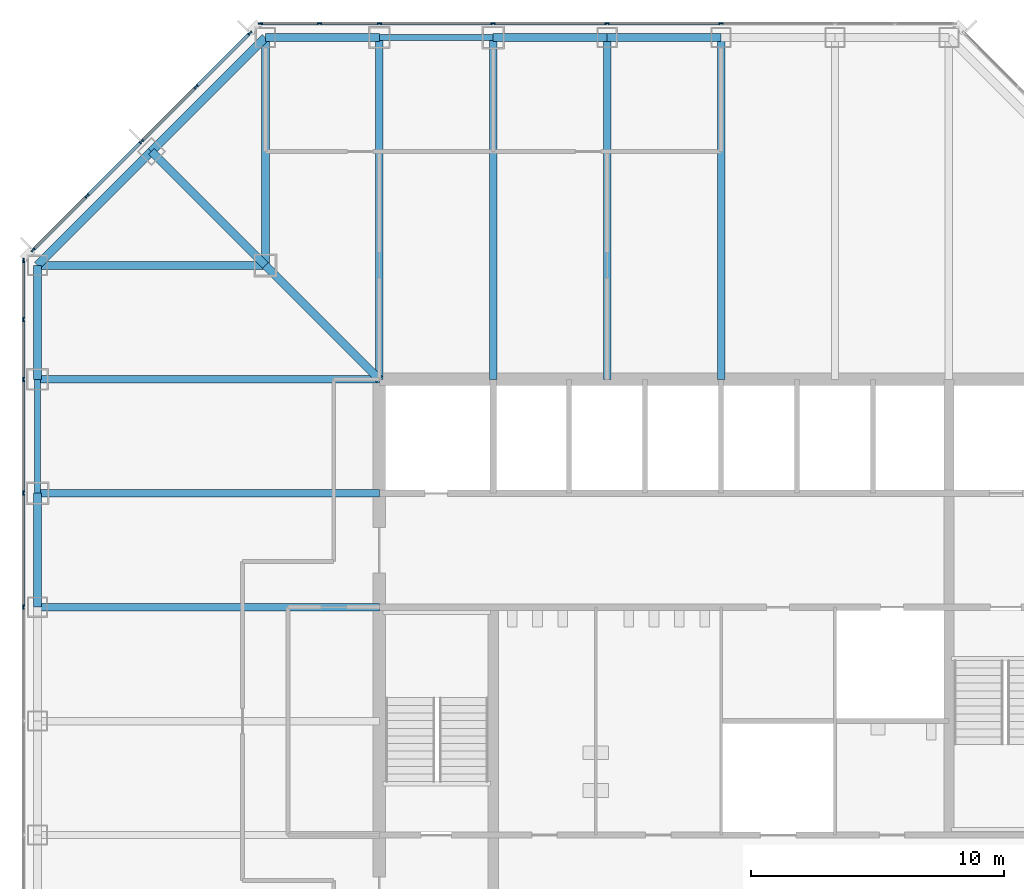
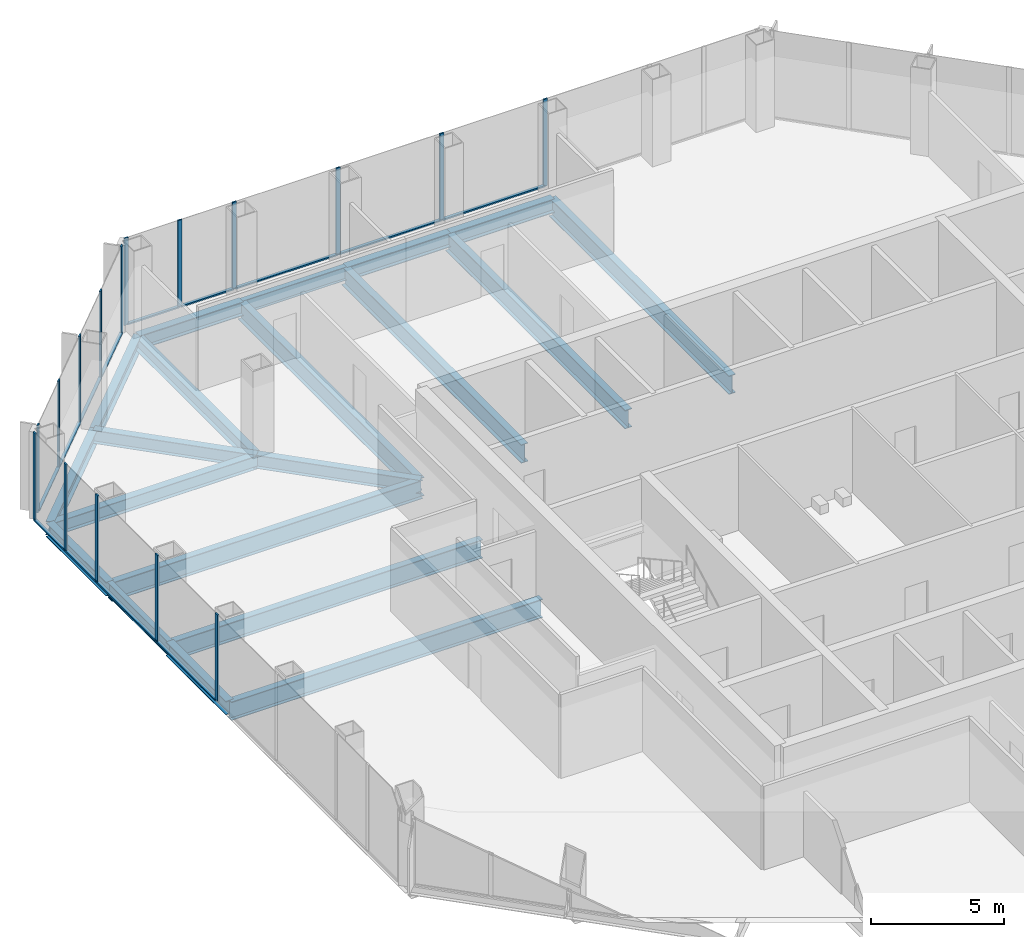
# One storey, part 5 of 12: 29 members, 20 beams, 3 elements without a shape of their own.
"""IFC4 building model written with IfcOpenShell, lengths in metres."""

from ifc_helpers import new_model, si_unit, direction, frame, origin, origin_2d, place, context, subcontext, project, spatial, rectangle, i_section, extrude, material, material_profile, profile_set, type_object, element, aggregate, save


model = new_model("IFC4")

# Units and contexts
model_context = context("Model", 3, precision=1e-05, world=origin(), true_north=direction((0.0, 1.0)))
body_context = subcontext(model_context, "Body", "Model", "MODEL_VIEW")
ifc_project = project(units=[si_unit("LENGTHUNIT", "METRE"), si_unit("AREAUNIT", "SQUARE_METRE"), si_unit("VOLUMEUNIT", "CUBIC_METRE"), si_unit("PLANEANGLEUNIT", "RADIAN"), si_unit("MASSUNIT", "GRAM", prefix="KILO")], contexts=[model_context])

# Site, building, storey
site_placement = place(None, origin())
site = spatial("IfcSite", under=ifc_project, at=site_placement, CompositionType="ELEMENT")
building_placement = place(site_placement, origin())
building = spatial("IfcBuilding", under=site, at=building_placement, Name="Corais Broadcast Tower", CompositionType="ELEMENT")
storey_placement = place(building_placement, frame((0.0, 0.0, 115.60009765625)))
storey = spatial("IfcBuildingStorey", under=building, at=storey_placement, Name="L25", CompositionType="ELEMENT", Elevation=115.60009765625)

# Beams
ifc_material_1 = material(Name="Steel ASTM A572 Grade 50", Category="steel")
ifc_material_profile_1 = material_profile(ifc_material_1, i_section(OverallWidth=0.323974609375, OverallDepth=0.611083984375, WebThickness=0.0126953125, FlangeThickness=0.01904296875, at=origin_2d()), Name="W610x155")
ifc_profile_set_1 = profile_set([ifc_material_profile_1], Name="Steel ASTM A572 Grade 50")
beam_type_1 = type_object("IfcBeamType", Name="Chamfer tie W610x155", PredefinedType="BEAM", material=ifc_profile_set_1)
beam_1_placement = place(storey_placement, frame((4.5, 49.5, -0.465576171875), z_axis=(0.707106781187, -0.707106781187, 0.0), x_axis=(0.707106781187, 0.707106781187, 0.0)))
element("IfcBeam", 1, at=beam_1_placement, inside=storey, type_object=beam_type_1, Name="B5 M/4 to L/5", PredefinedType="BEAM", context=body_context, shape_type="SweptSolid", body=[
    extrude(i_section(OverallWidth=0.323974609375, OverallDepth=0.611083984375, WebThickness=0.0126953125, FlangeThickness=0.01904296875, at=origin_2d()), origin(), (0.0, 0.0, 1.0), 6.364013671875),
])
ifc_material_2 = material(Name="Steel ASTM A572 Grade 50", Category="steel")
ifc_material_profile_2 = material_profile(ifc_material_2, i_section(OverallWidth=0.323974609375, OverallDepth=0.611083984375, WebThickness=0.0126953125, FlangeThickness=0.01904296875, at=origin_2d()), Name="W610x155")
ifc_profile_set_2 = profile_set([ifc_material_profile_2], Name="Steel ASTM A572 Grade 50")
beam_type_2 = type_object("IfcBeamType", Name="Corner diagonal W610x155", PredefinedType="BEAM", material=ifc_profile_set_2)
beam_2_placement = place(storey_placement, frame((9.0, 45.0, -0.465576171875), z_axis=(0.707106781187, -0.707106781187, 0.0), x_axis=(0.707106781187, 0.707106781187, 0.0)))
element("IfcBeam", 2, at=beam_2_placement, inside=storey, type_object=beam_type_2, Name="B6 L/5 to K/6", PredefinedType="BEAM", context=body_context, shape_type="SweptSolid", body=[
    extrude(i_section(OverallWidth=0.323974609375, OverallDepth=0.611083984375, WebThickness=0.0126953125, FlangeThickness=0.01904296875, at=origin_2d()), origin(), (0.0, 0.0, 1.0), 6.364013671875),
])
ifc_material_3 = material(Name="Steel ASTM A572 Grade 50", Category="steel")
ifc_material_profile_3 = material_profile(ifc_material_3, i_section(OverallWidth=0.323974609375, OverallDepth=0.611083984375, WebThickness=0.0126953125, FlangeThickness=0.01904296875, at=origin_2d()), Name="W610x155")
ifc_profile_set_3 = profile_set([ifc_material_profile_3], Name="Steel ASTM A572 Grade 50")
beam_type_3 = type_object("IfcBeamType", Name="Corner girder W610x155", PredefinedType="BEAM", material=ifc_profile_set_3)
for number, where, z_axis, x_axis, name in (
    (3, (0.0, 45.0, -0.465576171875), (1.0, 0.0, 0.0), (0.0, 1.0, 0.0), "B4 L/3 to L/5"),
    (4, (9.0, 54.0, -0.465576171875), (0.0, -1.0, 0.0), (1.0, 0.0, 0.0), "B4 N/5 to L/5"),
):
    element("IfcBeam", number, at=place(storey_placement, frame(where, z_axis=z_axis, x_axis=x_axis)), inside=storey, type_object=beam_type_3, Name=name, PredefinedType="BEAM", context=body_context, shape_type="SweptSolid", body=[
        extrude(i_section(OverallWidth=0.323974609375, OverallDepth=0.611083984375, WebThickness=0.0126953125, FlangeThickness=0.01904296875, at=origin_2d()), origin(), (0.0, 0.0, 1.0), 9.0),
    ])
ifc_material_4 = material(Name="Steel ASTM A572 Grade 50", Category="steel")
ifc_material_profile_4 = material_profile(ifc_material_4, i_section(OverallWidth=0.2939453125, OverallDepth=0.85107421875, WebThickness=0.01611328125, FlangeThickness=0.02685546875, at=origin_2d()), Name="W840x226")
ifc_profile_set_4 = profile_set([ifc_material_profile_4], Name="Steel ASTM A572 Grade 50")
beam_type_4 = type_object("IfcBeamType", Name="Floor beam W840x226", PredefinedType="BEAM", material=ifc_profile_set_4)
for number, where, z_axis, x_axis, name in (
    (5, (0.0, 31.5, -0.585693359375), (1.0, 0.0, 0.0), (0.0, 1.0, 0.0), "B1 H/3 to H/6"),
    (6, (0.0, 36.0, -0.585693359375), (1.0, 0.0, 0.0), (0.0, 1.0, 0.0), "B1 J/3 to J/6"),
    (7, (0.0, 40.5, -0.585693359375), (1.0, 0.0, 0.0), (0.0, 1.0, 0.0), "B1 K/3 to K/6"),
    (8, (13.5, 54.0, -0.585693359375), (0.0, -1.0, 0.0), (1.0, 0.0, 0.0), "B1 N/6 to K/6"),
    (9, (18.0, 54.0, -0.585693359375), (0.0, -1.0, 0.0), (1.0, 0.0, 0.0), "B1 N/7 to K/7"),
    (10, (22.5, 54.0, -0.585693359375), (0.0, -1.0, 0.0), (1.0, 0.0, 0.0), "B1 N/8 to K/8"),
    (11, (27.0, 54.0, -0.585693359375), (0.0, -1.0, 0.0), (1.0, 0.0, 0.0), "B1 N/9 to K/9"),
):
    element("IfcBeam", number, at=place(storey_placement, frame(where, z_axis=z_axis, x_axis=x_axis)), inside=storey, type_object=beam_type_4, Name=name, PredefinedType="BEAM", context=body_context, shape_type="SweptSolid", body=[
        extrude(i_section(OverallWidth=0.2939453125, OverallDepth=0.85107421875, WebThickness=0.01611328125, FlangeThickness=0.02685546875, at=origin_2d()), origin(), (0.0, 0.0, 1.0), 13.5),
    ])

# Curtain wall, members
ifc_material_5 = material(Name="Aluminium and glass", Category="aluminium")
curtain_wall_type = type_object("IfcCurtainWallType", Name="Unitised fritted curtain wall CW2", PredefinedType="NOTDEFINED", material=ifc_material_5)
curtain_wall_1_placement = place(storey_placement, origin())
curtain_wall_1 = element("IfcCurtainWall", 12, at=curtain_wall_1_placement, inside=storey, type_object=curtain_wall_type, Name="CW2 curtain wall L25 2", PredefinedType="NOTDEFINED")
ifc_material_6 = material(Name="Aluminium 6063-T6", Category="aluminium")
ifc_material_profile_5 = material_profile(ifc_material_6, rectangle(XDim=0.06494140625, YDim=0.179931640625, at=origin_2d()), Name="Mullion CW2 65x180")
ifc_profile_set_5 = profile_set([ifc_material_profile_5], Name="Aluminium 6063-T6")
member_type_1 = type_object("IfcMemberType", Name="Mullion CW2 65x180", PredefinedType="MULLION", material=ifc_profile_set_5)
member_1_placement = place(storey_placement, frame((-0.550048828125, 31.5, 0.0), z_axis=(0.0, 0.0, 1.0), x_axis=(-1.0, 0.0, 0.0)))
member_1 = element("IfcMember", 13, at=member_1_placement, type_object=member_type_1, Name="CW2 mullion 5", PredefinedType="MULLION", context=body_context, shape_type="SweptSolid", body=[
    extrude(rectangle(XDim=0.06494140625, YDim=0.179931640625, at=origin_2d()), origin(), (0.0, 0.0, 1.0), 4.0),
])
member_2_placement = place(storey_placement, frame((-0.550048828125, 36.0, 0.0), z_axis=(0.0, 0.0, 1.0), x_axis=(-1.0, 0.0, 0.0)))
member_2 = element("IfcMember", 14, at=member_2_placement, type_object=member_type_1, Name="CW2 mullion 6", PredefinedType="MULLION", context=body_context, shape_type="SweptSolid", body=[
    extrude(rectangle(XDim=0.06494140625, YDim=0.179931640625, at=origin_2d()), origin(), (0.0, 0.0, 1.0), 4.0),
])
member_3_placement = place(storey_placement, frame((-0.550048828125, 40.5, 0.0), z_axis=(0.0, 0.0, 1.0), x_axis=(-1.0, 0.0, 0.0)))
member_3 = element("IfcMember", 15, at=member_3_placement, type_object=member_type_1, Name="CW2 mullion 7", PredefinedType="MULLION", context=body_context, shape_type="SweptSolid", body=[
    extrude(rectangle(XDim=0.06494140625, YDim=0.179931640625, at=origin_2d()), origin(), (0.0, 0.0, 1.0), 4.0),
])
member_4_placement = place(storey_placement, frame((-0.550048828125, 42.864013671875, 0.0), z_axis=(0.0, 0.0, 1.0), x_axis=(-1.0, 0.0, 0.0)))
member_4 = element("IfcMember", 16, at=member_4_placement, type_object=member_type_1, Name="CW2 mullion 8", PredefinedType="MULLION", context=body_context, shape_type="SweptSolid", body=[
    extrude(rectangle(XDim=0.06494140625, YDim=0.179931640625, at=origin_2d()), origin(), (0.0, 0.0, 1.0), 4.0),
])
member_5_placement = place(storey_placement, frame((-0.550048828125, 45.1953125, 0.0), z_axis=(0.0, 0.0, 1.0), x_axis=(-1.0, 0.0, 0.0)))
member_5 = element("IfcMember", 17, at=member_5_placement, type_object=member_type_1, Name="CW2 mullion 9", PredefinedType="MULLION", context=body_context, shape_type="SweptSolid", body=[
    extrude(rectangle(XDim=0.06494140625, YDim=0.179931640625, at=origin_2d()), origin(), (0.0, 0.0, 1.0), 4.0),
])

curtain_wall_2_placement = place(storey_placement, origin())
curtain_wall_2 = element("IfcCurtainWall", 18, at=curtain_wall_2_placement, inside=storey, type_object=curtain_wall_type, Name="CW2 curtain wall L25 3", PredefinedType="NOTDEFINED")
member_6_placement = place(storey_placement, frame((-0.17333984375, 45.6044921875, 0.0), z_axis=(0.0, 0.0, 1.0), x_axis=(-0.707106781187, 0.707106781187, 0.0)))
member_6 = element("IfcMember", 19, at=member_6_placement, type_object=member_type_1, Name="CW2 mullion 1", PredefinedType="MULLION", context=body_context, shape_type="SweptSolid", body=[
    extrude(rectangle(XDim=0.06494140625, YDim=0.179931640625, at=origin_2d()), origin(), (0.0, 0.0, 1.0), 4.0),
])
member_7_placement = place(storey_placement, frame((1.957275390625, 47.735107421875, 0.0), z_axis=(0.0, 0.0, 1.0), x_axis=(-0.707106781187, 0.707106781187, 0.0)))
member_7 = element("IfcMember", 20, at=member_7_placement, type_object=member_type_1, Name="CW2 mullion 2", PredefinedType="MULLION", context=body_context, shape_type="SweptSolid", body=[
    extrude(rectangle(XDim=0.06494140625, YDim=0.179931640625, at=origin_2d()), origin(), (0.0, 0.0, 1.0), 4.0),
])
member_8_placement = place(storey_placement, frame((4.111083984375, 49.888916015625, 0.0), z_axis=(0.0, 0.0, 1.0), x_axis=(-0.707106781187, 0.707106781187, 0.0)))
member_8 = element("IfcMember", 21, at=member_8_placement, type_object=member_type_1, Name="CW2 mullion 3", PredefinedType="MULLION", context=body_context, shape_type="SweptSolid", body=[
    extrude(rectangle(XDim=0.06494140625, YDim=0.179931640625, at=origin_2d()), origin(), (0.0, 0.0, 1.0), 4.0),
])
member_9_placement = place(storey_placement, frame((6.264892578125, 52.042724609375, 0.0), z_axis=(0.0, 0.0, 1.0), x_axis=(-0.707106781187, 0.707106781187, 0.0)))
member_9 = element("IfcMember", 22, at=member_9_placement, type_object=member_type_1, Name="CW2 mullion 4", PredefinedType="MULLION", context=body_context, shape_type="SweptSolid", body=[
    extrude(rectangle(XDim=0.06494140625, YDim=0.179931640625, at=origin_2d()), origin(), (0.0, 0.0, 1.0), 4.0),
])
member_10_placement = place(storey_placement, frame((8.3955078125, 54.17333984375, 0.0), z_axis=(0.0, 0.0, 1.0), x_axis=(-0.707106781187, 0.707106781187, 0.0)))
member_10 = element("IfcMember", 23, at=member_10_placement, type_object=member_type_1, Name="CW2 mullion 5", PredefinedType="MULLION", context=body_context, shape_type="SweptSolid", body=[
    extrude(rectangle(XDim=0.06494140625, YDim=0.179931640625, at=origin_2d()), origin(), (0.0, 0.0, 1.0), 4.0),
])

curtain_wall_3_placement = place(storey_placement, origin())
curtain_wall_3 = element("IfcCurtainWall", 24, at=curtain_wall_3_placement, inside=storey, type_object=curtain_wall_type, Name="CW2 curtain wall L25 4", PredefinedType="NOTDEFINED")
member_11_placement = place(storey_placement, frame((8.8046875, 54.550048828125, 0.0), z_axis=(0.0, 0.0, 1.0), x_axis=(0.0, 1.0, 0.0)))
member_11 = element("IfcMember", 25, at=member_11_placement, type_object=member_type_1, Name="CW2 mullion 1", PredefinedType="MULLION", context=body_context, shape_type="SweptSolid", body=[
    extrude(rectangle(XDim=0.06494140625, YDim=0.179931640625, at=origin_2d()), origin(), (0.0, 0.0, 1.0), 4.0),
])
member_12_placement = place(storey_placement, frame((11.135986328125, 54.550048828125, 0.0), z_axis=(0.0, 0.0, 1.0), x_axis=(0.0, 1.0, 0.0)))
member_12 = element("IfcMember", 26, at=member_12_placement, type_object=member_type_1, Name="CW2 mullion 2", PredefinedType="MULLION", context=body_context, shape_type="SweptSolid", body=[
    extrude(rectangle(XDim=0.06494140625, YDim=0.179931640625, at=origin_2d()), origin(), (0.0, 0.0, 1.0), 4.0),
])
member_13_placement = place(storey_placement, frame((13.5, 54.550048828125, 0.0), z_axis=(0.0, 0.0, 1.0), x_axis=(0.0, 1.0, 0.0)))
member_13 = element("IfcMember", 27, at=member_13_placement, type_object=member_type_1, Name="CW2 mullion 3", PredefinedType="MULLION", context=body_context, shape_type="SweptSolid", body=[
    extrude(rectangle(XDim=0.06494140625, YDim=0.179931640625, at=origin_2d()), origin(), (0.0, 0.0, 1.0), 4.0),
])
member_14_placement = place(storey_placement, frame((18.0, 54.550048828125, 0.0), z_axis=(0.0, 0.0, 1.0), x_axis=(0.0, 1.0, 0.0)))
member_14 = element("IfcMember", 28, at=member_14_placement, type_object=member_type_1, Name="CW2 mullion 4", PredefinedType="MULLION", context=body_context, shape_type="SweptSolid", body=[
    extrude(rectangle(XDim=0.06494140625, YDim=0.179931640625, at=origin_2d()), origin(), (0.0, 0.0, 1.0), 4.0),
])
member_15_placement = place(storey_placement, frame((22.5, 54.550048828125, 0.0), z_axis=(0.0, 0.0, 1.0), x_axis=(0.0, 1.0, 0.0)))
member_15 = element("IfcMember", 29, at=member_15_placement, type_object=member_type_1, Name="CW2 mullion 5", PredefinedType="MULLION", context=body_context, shape_type="SweptSolid", body=[
    extrude(rectangle(XDim=0.06494140625, YDim=0.179931640625, at=origin_2d()), origin(), (0.0, 0.0, 1.0), 4.0),
])
member_16_placement = place(storey_placement, frame((27.0, 54.550048828125, 0.0), z_axis=(0.0, 0.0, 1.0), x_axis=(0.0, 1.0, 0.0)))
member_16 = element("IfcMember", 30, at=member_16_placement, type_object=member_type_1, Name="CW2 mullion 6", PredefinedType="MULLION", context=body_context, shape_type="SweptSolid", body=[
    extrude(rectangle(XDim=0.06494140625, YDim=0.179931640625, at=origin_2d()), origin(), (0.0, 0.0, 1.0), 4.0),
])

# Beams
ifc_material_7 = material(Name="Steel ASTM A572 Grade 50", Category="steel")
ifc_material_profile_6 = material_profile(ifc_material_7, i_section(OverallWidth=0.22900390625, OverallDepth=0.612060546875, WebThickness=0.011962890625, FlangeThickness=0.01953125, at=origin_2d()), Name="W610x125")
ifc_profile_set_6 = profile_set([ifc_material_profile_6], Name="Steel ASTM A572 Grade 50")
beam_type_5 = type_object("IfcBeamType", Name="Pinned spandrel W610x125", PredefinedType="BEAM", material=ifc_profile_set_6)
for number, where, z_axis, x_axis, name in (
    (31, (0.0, 40.5, -0.466064453125), (0.0, -1.0, 0.0), (1.0, 0.0, 0.0), "SB7 K/3 to J/3"),
    (32, (18.0, 54.0, -0.466064453125), (-1.0, 0.0, 0.0), (0.0, -1.0, 0.0), "SB7 N/7 to N/6"),
):
    element("IfcBeam", number, at=place(storey_placement, frame(where, z_axis=z_axis, x_axis=x_axis)), inside=storey, type_object=beam_type_5, Name=name, PredefinedType="BEAM", context=body_context, shape_type="SweptSolid", body=[
        extrude(i_section(OverallWidth=0.22900390625, OverallDepth=0.612060546875, WebThickness=0.011962890625, FlangeThickness=0.01953125, at=origin_2d()), origin(), (0.0, 0.0, 1.0), 4.5),
    ])
ifc_material_8 = material(Name="Steel ASTM A572 Grade 50", Category="steel")
ifc_material_profile_7 = material_profile(ifc_material_8, i_section(OverallWidth=0.3291015625, OverallDepth=0.635009765625, WebThickness=0.017822265625, FlangeThickness=0.031005859375, at=origin_2d()), Name="W610x241")
ifc_profile_set_7 = profile_set([ifc_material_profile_7], Name="Steel ASTM A572 Grade 50")
beam_type_6 = type_object("IfcBeamType", Name="Spandrel W610x241", PredefinedType="BEAM", material=ifc_profile_set_7)
for number, where, z_axis, x_axis, name in (
    (33, (0.0, 36.0, -0.4775390625), (0.0, -1.0, 0.0), (1.0, 0.0, 0.0), "SB1 J/3 to H/3"),
    (34, (0.0, 45.0, -0.4775390625), (0.0, -1.0, 0.0), (1.0, 0.0, 0.0), "SB1 L/3 to K/3"),
    (35, (13.5, 54.0, -0.4775390625), (-1.0, 0.0, 0.0), (0.0, -1.0, 0.0), "SB1 N/6 to N/5"),
    (36, (22.5, 54.0, -0.4775390625), (-1.0, 0.0, 0.0), (0.0, -1.0, 0.0), "SB1 N/8 to N/7"),
    (37, (27.0, 54.0, -0.4775390625), (-1.0, 0.0, 0.0), (0.0, -1.0, 0.0), "SB1 N/9 to N/8"),
):
    element("IfcBeam", number, at=place(storey_placement, frame(where, z_axis=z_axis, x_axis=x_axis)), inside=storey, type_object=beam_type_6, Name=name, PredefinedType="BEAM", context=body_context, shape_type="SweptSolid", body=[
        extrude(i_section(OverallWidth=0.3291015625, OverallDepth=0.635009765625, WebThickness=0.017822265625, FlangeThickness=0.031005859375, at=origin_2d()), origin(), (0.0, 0.0, 1.0), 4.5),
    ])
for number, where, z_axis, x_axis, name in (
    (38, (4.5, 49.5, -0.4775390625), (-0.707106781187, -0.707106781187, 0.0), (0.707106781187, -0.707106781187, 0.0), "SB1 M/4 to L/3"),
    (39, (9.0, 54.0, -0.4775390625), (-0.707106781187, -0.707106781187, 0.0), (0.707106781187, -0.707106781187, 0.0), "SB1 N/5 to M/4"),
):
    element("IfcBeam", number, at=place(storey_placement, frame(where, z_axis=z_axis, x_axis=x_axis)), inside=storey, type_object=beam_type_6, Name=name, PredefinedType="BEAM", context=body_context, shape_type="SweptSolid", body=[
        extrude(i_section(OverallWidth=0.3291015625, OverallDepth=0.635009765625, WebThickness=0.017822265625, FlangeThickness=0.031005859375, at=origin_2d()), origin(), (0.0, 0.0, 1.0), 6.364013671875),
    ])

# Member
ifc_material_9 = material(Name="Aluminium 6063-T6", Category="aluminium")
ifc_material_profile_8 = material_profile(ifc_material_9, rectangle(XDim=0.1298828125, YDim=0.06494140625, at=origin_2d()), Name="Transom CW2 65x130")
ifc_profile_set_8 = profile_set([ifc_material_profile_8], Name="Aluminium 6063-T6")
member_type_2 = type_object("IfcMemberType", Name="Transom CW2 65x130", PredefinedType="USERDEFINED", material=ifc_profile_set_8)
member_17_placement = place(storey_placement, frame((-0.550048828125, 31.532470703125, 0.032470703125), z_axis=(0.0, 1.0, 0.0), x_axis=(-1.0, 0.0, 0.0)))
member_17 = element("IfcMember", 40, at=member_17_placement, type_object=member_type_2, Name="CW2 transom 5.1", ObjectType="TRANSOM", PredefinedType="USERDEFINED", context=body_context, shape_type="SweptSolid", body=[
    extrude(rectangle(XDim=0.1298828125, YDim=0.06494140625, at=origin_2d()), origin(), (0.0, 0.0, 1.0), 4.43505859375),
])

member_18_placement = place(storey_placement, frame((-0.550048828125, 36.032470703125, 0.032470703125), z_axis=(0.0, 1.0, 0.0), x_axis=(-1.0, 0.0, 0.0)))
member_18 = element("IfcMember", 41, at=member_18_placement, type_object=member_type_2, Name="CW2 transom 6.1", ObjectType="TRANSOM", PredefinedType="USERDEFINED", context=body_context, shape_type="SweptSolid", body=[
    extrude(rectangle(XDim=0.1298828125, YDim=0.06494140625, at=origin_2d()), origin(), (0.0, 0.0, 1.0), 4.43505859375),
])

member_19_placement = place(storey_placement, frame((-0.550048828125, 40.532470703125, 0.032470703125), z_axis=(0.0, 1.0, 0.0), x_axis=(-1.0, 0.0, 0.0)))
member_19 = element("IfcMember", 42, at=member_19_placement, type_object=member_type_2, Name="CW2 transom 7.1", ObjectType="TRANSOM", PredefinedType="USERDEFINED", context=body_context, shape_type="SweptSolid", body=[
    extrude(rectangle(XDim=0.1298828125, YDim=0.06494140625, at=origin_2d()), origin(), (0.0, 0.0, 1.0), 2.298828125),
])

member_20_placement = place(storey_placement, frame((-0.550048828125, 42.896484375, 0.032470703125), z_axis=(0.0, 1.0, 0.0), x_axis=(-1.0, 0.0, 0.0)))
member_20 = element("IfcMember", 43, at=member_20_placement, type_object=member_type_2, Name="CW2 transom 8.1", ObjectType="TRANSOM", PredefinedType="USERDEFINED", context=body_context, shape_type="SweptSolid", body=[
    extrude(rectangle(XDim=0.1298828125, YDim=0.06494140625, at=origin_2d()), origin(), (0.0, 0.0, 1.0), 2.266357421875),
])

aggregate(curtain_wall_1, [member_1, member_2, member_3, member_4, member_5, member_17, member_18, member_19, member_20])

member_21_placement = place(storey_placement, frame((-0.150390625, 45.62744140625, 0.032470703125), z_axis=(0.707106781187, 0.707106781187, 0.0), x_axis=(-0.707106781187, 0.707106781187, 0.0)))
member_21 = element("IfcMember", 44, at=member_21_placement, type_object=member_type_2, Name="CW2 transom 1.1", ObjectType="TRANSOM", PredefinedType="USERDEFINED", context=body_context, shape_type="SweptSolid", body=[
    extrude(rectangle(XDim=0.1298828125, YDim=0.06494140625, at=origin_2d()), origin(), (0.0, 0.0, 1.0), 2.9482421875),
])

member_22_placement = place(storey_placement, frame((1.980224609375, 47.758056640625, 0.032470703125), z_axis=(0.707106781187, 0.707106781187, 0.0), x_axis=(-0.707106781187, 0.707106781187, 0.0)))
member_22 = element("IfcMember", 45, at=member_22_placement, type_object=member_type_2, Name="CW2 transom 2.1", ObjectType="TRANSOM", PredefinedType="USERDEFINED", context=body_context, shape_type="SweptSolid", body=[
    extrude(rectangle(XDim=0.1298828125, YDim=0.06494140625, at=origin_2d()), origin(), (0.0, 0.0, 1.0), 2.98095703125),
])

member_23_placement = place(storey_placement, frame((4.134033203125, 49.911865234375, 0.032470703125), z_axis=(0.707106781187, 0.707106781187, 0.0), x_axis=(-0.707106781187, 0.707106781187, 0.0)))
member_23 = element("IfcMember", 46, at=member_23_placement, type_object=member_type_2, Name="CW2 transom 3.1", ObjectType="TRANSOM", PredefinedType="USERDEFINED", context=body_context, shape_type="SweptSolid", body=[
    extrude(rectangle(XDim=0.1298828125, YDim=0.06494140625, at=origin_2d()), origin(), (0.0, 0.0, 1.0), 2.98095703125),
])

member_24_placement = place(storey_placement, frame((6.287841796875, 52.065673828125, 0.032470703125), z_axis=(0.707106781187, 0.707106781187, 0.0), x_axis=(-0.707106781187, 0.707106781187, 0.0)))
member_24 = element("IfcMember", 47, at=member_24_placement, type_object=member_type_2, Name="CW2 transom 4.1", ObjectType="TRANSOM", PredefinedType="USERDEFINED", context=body_context, shape_type="SweptSolid", body=[
    extrude(rectangle(XDim=0.1298828125, YDim=0.06494140625, at=origin_2d()), origin(), (0.0, 0.0, 1.0), 2.9482421875),
])

aggregate(curtain_wall_2, [member_6, member_7, member_8, member_9, member_10, member_21, member_22, member_23, member_24])

member_25_placement = place(storey_placement, frame((8.837158203125, 54.550048828125, 0.032470703125), z_axis=(1.0, 0.0, 0.0), x_axis=(0.0, 1.0, 0.0)))
member_25 = element("IfcMember", 48, at=member_25_placement, type_object=member_type_2, Name="CW2 transom 1.1", ObjectType="TRANSOM", PredefinedType="USERDEFINED", context=body_context, shape_type="SweptSolid", body=[
    extrude(rectangle(XDim=0.1298828125, YDim=0.06494140625, at=origin_2d()), origin(), (0.0, 0.0, 1.0), 2.266357421875),
])

member_26_placement = place(storey_placement, frame((11.168701171875, 54.550048828125, 0.032470703125), z_axis=(1.0, 0.0, 0.0), x_axis=(0.0, 1.0, 0.0)))
member_26 = element("IfcMember", 49, at=member_26_placement, type_object=member_type_2, Name="CW2 transom 2.1", ObjectType="TRANSOM", PredefinedType="USERDEFINED", context=body_context, shape_type="SweptSolid", body=[
    extrude(rectangle(XDim=0.1298828125, YDim=0.06494140625, at=origin_2d()), origin(), (0.0, 0.0, 1.0), 2.298828125),
])

member_27_placement = place(storey_placement, frame((13.532470703125, 54.550048828125, 0.032470703125), z_axis=(1.0, 0.0, 0.0), x_axis=(0.0, 1.0, 0.0)))
member_27 = element("IfcMember", 50, at=member_27_placement, type_object=member_type_2, Name="CW2 transom 3.1", ObjectType="TRANSOM", PredefinedType="USERDEFINED", context=body_context, shape_type="SweptSolid", body=[
    extrude(rectangle(XDim=0.1298828125, YDim=0.06494140625, at=origin_2d()), origin(), (0.0, 0.0, 1.0), 4.43505859375),
])

member_28_placement = place(storey_placement, frame((18.032470703125, 54.550048828125, 0.032470703125), z_axis=(1.0, 0.0, 0.0), x_axis=(0.0, 1.0, 0.0)))
member_28 = element("IfcMember", 51, at=member_28_placement, type_object=member_type_2, Name="CW2 transom 4.1", ObjectType="TRANSOM", PredefinedType="USERDEFINED", context=body_context, shape_type="SweptSolid", body=[
    extrude(rectangle(XDim=0.1298828125, YDim=0.06494140625, at=origin_2d()), origin(), (0.0, 0.0, 1.0), 4.43505859375),
])

member_29_placement = place(storey_placement, frame((22.532470703125, 54.550048828125, 0.032470703125), z_axis=(1.0, 0.0, 0.0), x_axis=(0.0, 1.0, 0.0)))
member_29 = element("IfcMember", 52, at=member_29_placement, type_object=member_type_2, Name="CW2 transom 5.1", ObjectType="TRANSOM", PredefinedType="USERDEFINED", context=body_context, shape_type="SweptSolid", body=[
    extrude(rectangle(XDim=0.1298828125, YDim=0.06494140625, at=origin_2d()), origin(), (0.0, 0.0, 1.0), 4.43505859375),
])

aggregate(curtain_wall_3, [member_11, member_12, member_13, member_14, member_15, member_16, member_25, member_26, member_27, member_28, member_29])

save(model, "model.ifc")
